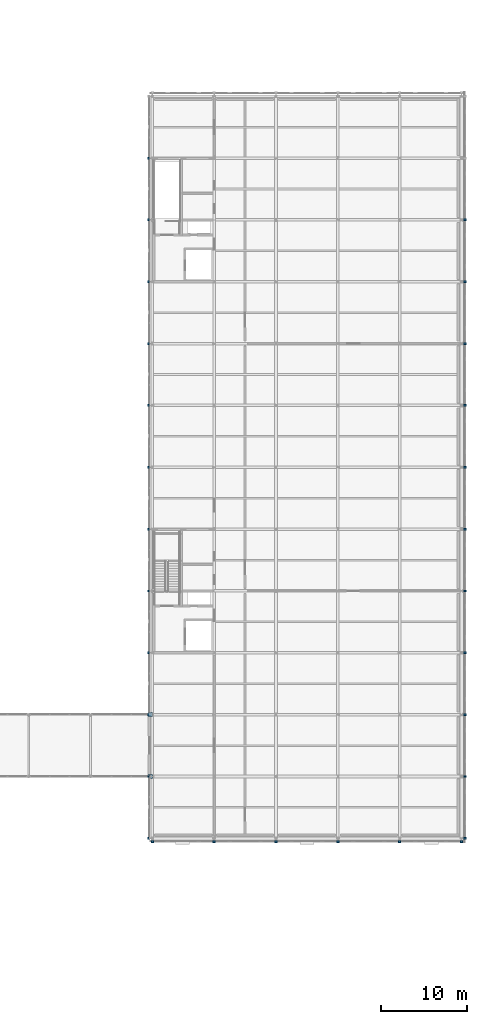
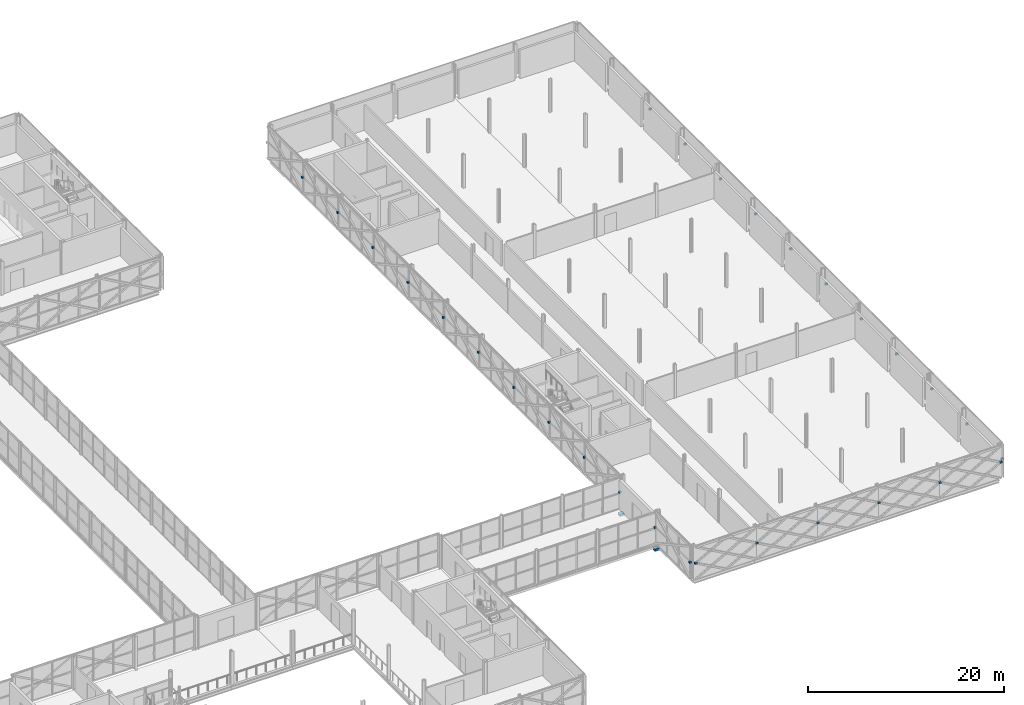
# One storey, part 132 of 146: 31 discrete accessories.
"""IFC4 building model written with IfcOpenShell, lengths in metres."""

from ifc_helpers import new_model, si_unit, direction, frame, origin, origin_2d, place, context, subcontext, project, spatial, rectangle, extrude, material, type_object, element, save


model = new_model("IFC4")

# Units and contexts
model_context = context("Model", 3, precision=1e-05, world=origin(), true_north=direction((0.0, 1.0)))
body_context = subcontext(model_context, "Body", "Model", "MODEL_VIEW")
ifc_project = project(units=[si_unit("LENGTHUNIT", "METRE"), si_unit("AREAUNIT", "SQUARE_METRE"), si_unit("VOLUMEUNIT", "CUBIC_METRE"), si_unit("PLANEANGLEUNIT", "RADIAN"), si_unit("MASSUNIT", "GRAM", prefix="KILO")], contexts=[model_context])

# Site, building, storey
site_placement = place(None, origin())
site = spatial("IfcSite", under=ifc_project, at=site_placement, CompositionType="ELEMENT")
building_placement = place(site_placement, origin())
building = spatial("IfcBuilding", under=site, at=building_placement, Name="Zlatovets Crest Museum", CompositionType="ELEMENT")
storey_placement = place(building_placement, frame((0.0, 0.0, 4.5)))
storey = spatial("IfcBuildingStorey", under=building, at=storey_placement, Name="L01", CompositionType="ELEMENT", Elevation=4.5)

# Discrete accessories
ifc_material = material(Name="Structural steel S355J2", Category="steel")
discrete_accessory_type_1 = type_object("IfcDiscreteAccessoryType", Name="BridgeBearingSeat_BS01", PredefinedType="SHOE", material=ifc_material)
for number, where, z_axis, x_axis, name in (
    (1, (129.340087890625, 21.60009765625, -0.7998046875), (0.0, 0.0, 1.0), (1.0, 0.0, 0.0), "Southeast Archive Glazed Link Bridge L01 520mm Sliding Bearing Seat Corbel Shoe"),
    (2, (129.340087890625, 28.800048828125, -0.7998046875), (0.0, 0.0, 1.0), (1.0, 0.0, 0.0), "Southeast Archive Glazed Link Bridge L01 520mm Sliding Bearing Seat Corbel Shoe"),
):
    element("IfcDiscreteAccessory", number, at=place(storey_placement, frame(where, z_axis=z_axis, x_axis=x_axis)), inside=storey, type_object=discrete_accessory_type_1, Name=name, PredefinedType="SHOE", context=body_context, shape_type="SweptSolid", body=[
        extrude(rectangle(XDim=0.52001953125, YDim=0.449951171875, at=origin_2d()), origin(), (0.0, 0.0, 1.0), 0.280029296875),
    ])
discrete_accessory_type_2 = type_object("IfcDiscreteAccessoryType", Name="LatticeBracket_BK01", PredefinedType="BRACKET", material=ifc_material)
for number, where, z_axis, x_axis, name in (
    (3, (129.60009765625, 13.97998046875, 1.990234375), (0.0, 0.0, 1.0), (1.0, 0.0, 0.0), "Bronze Lattice Structural Collector Bracket"),
    (4, (136.800048828125, 13.97998046875, 1.990234375), (0.0, 0.0, 1.0), (1.0, 0.0, 0.0), "Bronze Lattice Structural Collector Bracket"),
    (5, (144.0, 13.97998046875, 1.990234375), (0.0, 0.0, 1.0), (1.0, 0.0, 0.0), "Bronze Lattice Structural Collector Bracket"),
    (6, (151.199951171875, 13.97998046875, 1.990234375), (0.0, 0.0, 1.0), (1.0, 0.0, 0.0), "Bronze Lattice Structural Collector Bracket"),
    (7, (158.39990234375, 13.97998046875, 1.990234375), (0.0, 0.0, 1.0), (1.0, 0.0, 0.0), "Bronze Lattice Structural Collector Bracket"),
    (8, (165.60009765625, 13.97998046875, 1.990234375), (0.0, 0.0, 1.0), (1.0, 0.0, 0.0), "Bronze Lattice Structural Collector Bracket"),
    (9, (166.02001953125, 14.39990234375, 1.990234375), (0.0, 0.0, 1.0), (1.0, 0.0, 0.0), "Bronze Lattice Structural Collector Bracket"),
    (10, (166.02001953125, 21.60009765625, 1.990234375), (0.0, 0.0, 1.0), (1.0, 0.0, 0.0), "Bronze Lattice Structural Collector Bracket"),
    (11, (166.02001953125, 28.800048828125, 1.990234375), (0.0, 0.0, 1.0), (1.0, 0.0, 0.0), "Bronze Lattice Structural Collector Bracket"),
    (12, (166.02001953125, 36.0, 1.990234375), (0.0, 0.0, 1.0), (1.0, 0.0, 0.0), "Bronze Lattice Structural Collector Bracket"),
    (13, (166.02001953125, 43.199951171875, 1.990234375), (0.0, 0.0, 1.0), (1.0, 0.0, 0.0), "Bronze Lattice Structural Collector Bracket"),
    (14, (166.02001953125, 50.39990234375, 1.990234375), (0.0, 0.0, 1.0), (1.0, 0.0, 0.0), "Bronze Lattice Structural Collector Bracket"),
    (15, (166.02001953125, 57.60009765625, 1.990234375), (0.0, 0.0, 1.0), (1.0, 0.0, 0.0), "Bronze Lattice Structural Collector Bracket"),
    (16, (166.02001953125, 64.800048828125, 1.990234375), (0.0, 0.0, 1.0), (1.0, 0.0, 0.0), "Bronze Lattice Structural Collector Bracket"),
    (17, (166.02001953125, 72.0, 1.990234375), (0.0, 0.0, 1.0), (1.0, 0.0, 0.0), "Bronze Lattice Structural Collector Bracket"),
    (18, (166.02001953125, 79.199951171875, 1.990234375), (0.0, 0.0, 1.0), (1.0, 0.0, 0.0), "Bronze Lattice Structural Collector Bracket"),
    (19, (166.02001953125, 86.39990234375, 1.990234375), (0.0, 0.0, 1.0), (1.0, 0.0, 0.0), "Bronze Lattice Structural Collector Bracket"),
    (20, (129.179931640625, 93.60009765625, 1.990234375), (0.0, 0.0, 1.0), (1.0, 0.0, 0.0), "Bronze Lattice Structural Collector Bracket"),
    (21, (129.179931640625, 86.39990234375, 1.990234375), (0.0, 0.0, 1.0), (1.0, 0.0, 0.0), "Bronze Lattice Structural Collector Bracket"),
    (22, (129.179931640625, 79.199951171875, 1.990234375), (0.0, 0.0, 1.0), (1.0, 0.0, 0.0), "Bronze Lattice Structural Collector Bracket"),
    (23, (129.179931640625, 72.0, 1.990234375), (0.0, 0.0, 1.0), (1.0, 0.0, 0.0), "Bronze Lattice Structural Collector Bracket"),
    (24, (129.179931640625, 64.800048828125, 1.990234375), (0.0, 0.0, 1.0), (1.0, 0.0, 0.0), "Bronze Lattice Structural Collector Bracket"),
    (25, (129.179931640625, 57.60009765625, 1.990234375), (0.0, 0.0, 1.0), (1.0, 0.0, 0.0), "Bronze Lattice Structural Collector Bracket"),
    (26, (129.179931640625, 50.39990234375, 1.990234375), (0.0, 0.0, 1.0), (1.0, 0.0, 0.0), "Bronze Lattice Structural Collector Bracket"),
    (27, (129.179931640625, 43.199951171875, 1.990234375), (0.0, 0.0, 1.0), (1.0, 0.0, 0.0), "Bronze Lattice Structural Collector Bracket"),
    (28, (129.179931640625, 36.0, 1.990234375), (0.0, 0.0, 1.0), (1.0, 0.0, 0.0), "Bronze Lattice Structural Collector Bracket"),
    (29, (129.179931640625, 28.800048828125, 1.990234375), (0.0, 0.0, 1.0), (1.0, 0.0, 0.0), "Bronze Lattice Structural Collector Bracket"),
    (30, (129.179931640625, 21.60009765625, 1.990234375), (0.0, 0.0, 1.0), (1.0, 0.0, 0.0), "Bronze Lattice Structural Collector Bracket"),
    (31, (129.179931640625, 14.39990234375, 1.990234375), (0.0, 0.0, 1.0), (1.0, 0.0, 0.0), "Bronze Lattice Structural Collector Bracket"),
):
    element("IfcDiscreteAccessory", number, at=place(storey_placement, frame(where, z_axis=z_axis, x_axis=x_axis)), inside=storey, type_object=discrete_accessory_type_2, Name=name, PredefinedType="BRACKET", context=body_context, shape_type="SweptSolid", body=[
        extrude(rectangle(XDim=0.280029296875, YDim=0.219970703125, at=origin_2d()), origin(), (0.0, 0.0, 1.0), 0.219970703125),
    ])

save(model, "model.ifc")
